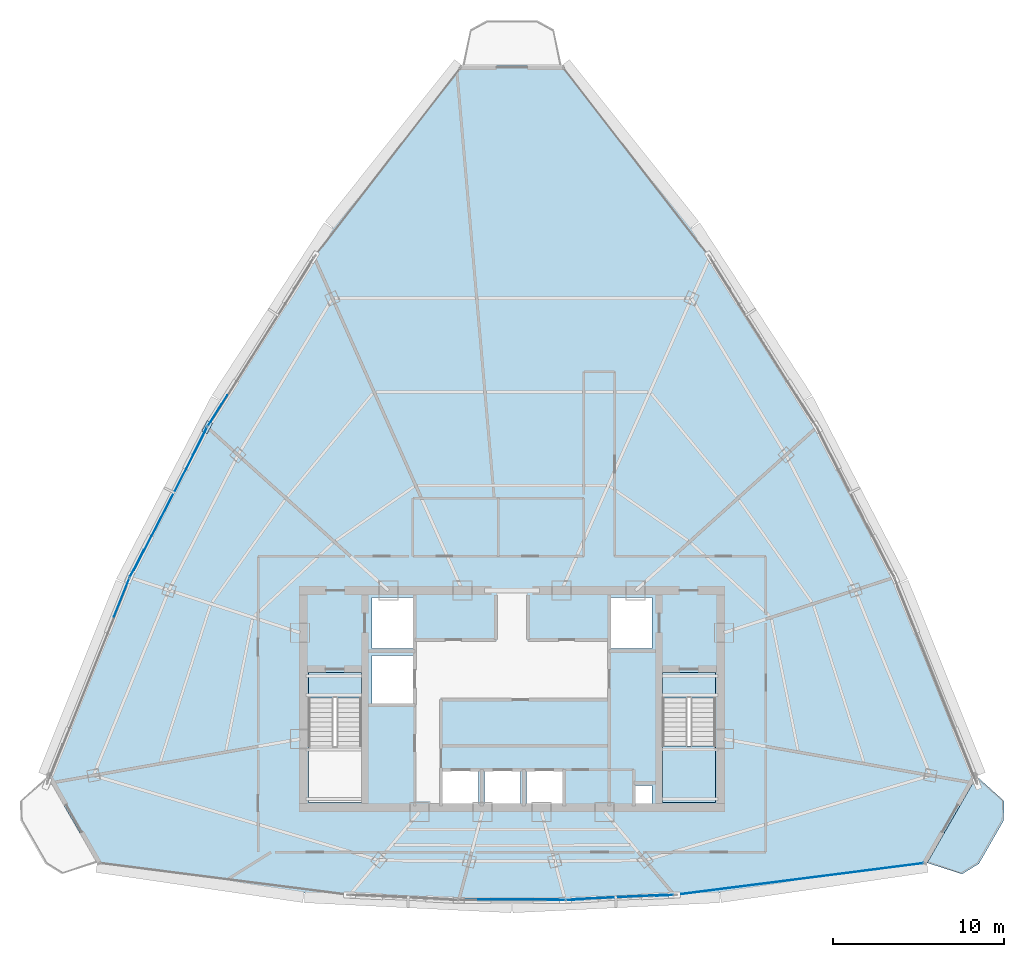
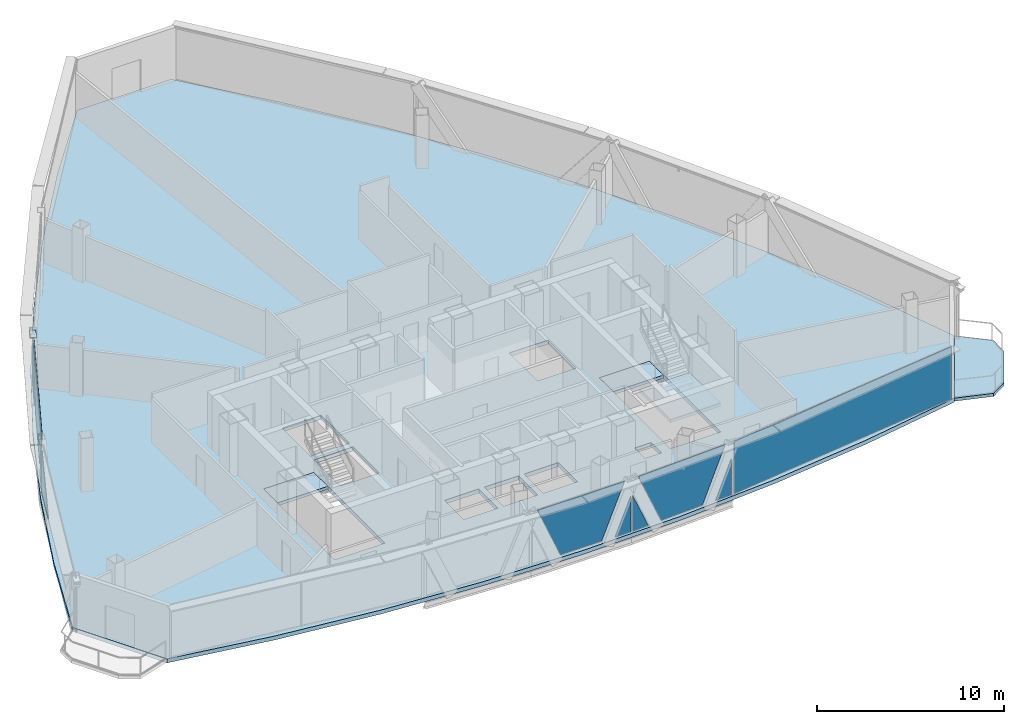
# One storey, part 23 of 30: 12 plates, 5 slabs, 8 elements without a shape of their own.
"""IFC4 building model written with IfcOpenShell, lengths in metres."""

from ifc_helpers import new_model, si_unit, direction, frame, origin, origin_2d, place, context, subcontext, project, spatial, polyline, rectangle, outline, extrude, source, transform, mapped, material, layer, layer_set, type_object, element, aggregate, save


model = new_model("IFC4")

# Units and contexts
model_context = context("Model", 3, precision=1e-05, world=origin(), true_north=direction((0.0, 1.0)))
body_context = subcontext(model_context, "Body", "Model", "MODEL_VIEW")
ifc_project = project(units=[si_unit("LENGTHUNIT", "METRE"), si_unit("AREAUNIT", "SQUARE_METRE"), si_unit("VOLUMEUNIT", "CUBIC_METRE"), si_unit("PLANEANGLEUNIT", "RADIAN"), si_unit("MASSUNIT", "GRAM", prefix="KILO"), si_unit("THERMODYNAMICTEMPERATUREUNIT", "KELVIN"), si_unit("POWERUNIT", "WATT")], contexts=[model_context])

# Site, building, storey
site_placement = place(None, origin())
site = spatial("IfcSite", under=ifc_project, at=site_placement, CompositionType="ELEMENT")
building_placement = place(site_placement, origin())
building = spatial("IfcBuilding", under=site, at=building_placement, Name="Yunzhuo Pagoda Commons", CompositionType="ELEMENT")
storey_placement = place(building_placement, frame((0.0, 0.0, 348.010009765625)))
storey = spatial("IfcBuildingStorey", under=building, at=storey_placement, Name="L87", CompositionType="ELEMENT", Elevation=348.010009765625)

# Curtain wall, plates
ifc_material_1 = material(Name="Anodized aluminium 6063-T6", Category="aluminium")
ifc_layer_1 = layer(ifc_material_1, 0.139892578125)
ifc_layer_set_1 = layer_set([ifc_layer_1], Name="Anodized aluminium 6063-T6")
curtain_wall_type = type_object("IfcCurtainWallType", Name="CW-HI High-Zone Ribbon Curtain Wall", PredefinedType="NOTDEFINED", material=ifc_layer_set_1)
curtain_wall_1_placement = place(storey_placement, origin())
curtain_wall_1 = element("IfcCurtainWall", 1, at=curtain_wall_1_placement, inside=storey, type_object=curtain_wall_type, Name="L87 curtain wall CW-L87-F1B3", PredefinedType="NOTDEFINED")
ifc_material_2 = material(Name="Tempered low-e double glazing", Category="glass")
ifc_layer_2 = layer(ifc_material_2, 0.02587890625)
ifc_layer_set_2 = layer_set([ifc_layer_2], Name="Tempered low-e double glazing")
plate_type_1 = type_object("IfcPlateType", Name="CW-HI-P Low-E Double Glazing 26", PredefinedType="CURTAIN_PANEL", material=ifc_layer_set_2)
plate_1_placement = place(storey_placement, frame((48.0, 22.1318359375, 1.744873046875), z_axis=(0.0, -1.0, 0.0), x_axis=(1.0, 0.0, 0.0)))
plate_1 = element("IfcPlate", 2, at=plate_1_placement, type_object=plate_type_1, Name="CW panel 1.1 lite 2", PredefinedType="CURTAIN_PANEL", context=body_context, shape_type="SweptSolid", body=[
    extrude(outline(polyline([(-2.67724609375, 1.68994140625), (-1.275146484375, -1.68994140625), (1.275146484375, -1.68994140625), (2.67724609375, 1.68994140625), (-2.67724609375, 1.68994140625)])), origin(), (0.0, 0.0, 1.0), 0.028076171875),
])
plate_2_placement = place(storey_placement, frame((50.57470703125, 22.1015625, 1.204345703125), z_axis=(0.0, -1.0, 0.0), x_axis=(1.0, 0.0, 0.0)))
plate_2 = element("IfcPlate", 3, at=plate_2_placement, type_object=plate_type_1, Name="CW panel 1.1 lite 3", PredefinedType="CURTAIN_PANEL", context=body_context, shape_type="SweptSolid", body=[
    extrude(outline(polyline([(-0.476806640625, -1.1494140625), (0.476806640625, -1.1494140625), (0.476806640625, 1.1494140625), (-0.476806640625, -1.1494140625)])), origin(), (0.0, 0.0, 1.0), 0.028076171875),
])
aggregate(curtain_wall_1, [plate_1, plate_2])

curtain_wall_2_placement = place(storey_placement, origin())
curtain_wall_2 = element("IfcCurtainWall", 4, at=curtain_wall_2_placement, inside=storey, type_object=curtain_wall_type, Name="L87 curtain wall CW-L87-F1B4", PredefinedType="NOTDEFINED")
plate_3_placement = place(storey_placement, frame((51.66455078125, 22.128173828125, 1.216796875), z_axis=(0.047859147719, -0.99885409444, 0.0), x_axis=(0.99885409444, 0.047859147719, 0.0)))
plate_3 = element("IfcPlate", 5, at=plate_3_placement, type_object=plate_type_1, Name="CW panel 1.1 lite 1", PredefinedType="CURTAIN_PANEL", context=body_context, shape_type="SweptSolid", body=[
    extrude(outline(polyline([(-0.494384765625, -1.161865234375), (0.494384765625, -1.161865234375), (-0.494384765625, 1.161865234375), (-0.494384765625, -1.161865234375)])), origin(), (0.0, 0.0, 1.0), 0.028076171875),
])
plate_4_placement = place(storey_placement, frame((54.29736328125, 22.284423828125, 1.744873046875), z_axis=(0.047859147719, -0.99885409444, 0.0), x_axis=(0.99885409444, 0.047859147719, 0.0)))
plate_4 = element("IfcPlate", 6, at=plate_4_placement, type_object=plate_type_1, Name="CW panel 1.1 lite 2", PredefinedType="CURTAIN_PANEL", context=body_context, shape_type="SweptSolid", body=[
    extrude(outline(polyline([(-2.75537109375, 1.68994140625), (-1.31689453125, -1.68994140625), (1.31689453125, -1.68994140625), (2.75537109375, 1.68994140625), (-2.75537109375, 1.68994140625)])), origin(), (0.0, 0.0, 1.0), 0.028076171875),
])
plate_5_placement = place(storey_placement, frame((56.93310546875, 22.380615234375, 1.216796875), z_axis=(0.047859147719, -0.99885409444, 0.0), x_axis=(0.99885409444, 0.047859147719, 0.0)))
plate_5 = element("IfcPlate", 7, at=plate_5_placement, type_object=plate_type_1, Name="CW panel 1.1 lite 3", PredefinedType="CURTAIN_PANEL", context=body_context, shape_type="SweptSolid", body=[
    extrude(outline(polyline([(-0.494384765625, -1.161865234375), (0.494384765625, -1.161865234375), (0.494384765625, 1.161865234375), (-0.494384765625, -1.161865234375)])), origin(), (0.0, 0.0, 1.0), 0.028076171875),
])
aggregate(curtain_wall_2, [plate_3, plate_4, plate_5])

# Curtain wall, plate
curtain_wall_3_placement = place(storey_placement, origin())
curtain_wall_3 = element("IfcCurtainWall", 8, at=curtain_wall_3_placement, inside=storey, type_object=curtain_wall_type, Name="L87 curtain wall CW-L87-F3B2", PredefinedType="NOTDEFINED")
plate_6_placement = place(storey_placement, frame((30.790771484375, 50.701171875, 1.426025390625), z_axis=(-0.846524621891, 0.532349569861, 0.0), x_axis=(-0.532349569861, -0.846524621891, 0.0)))
plate_6 = element("IfcPlate", 9, at=plate_6_placement, type_object=plate_type_1, Name="CW panel 1.1 lite 3", PredefinedType="CURTAIN_PANEL", context=body_context, shape_type="SweptSolid", body=[
    extrude(outline(polyline([(-1.073486328125, -1.37109375), (1.073486328125, -1.37109375), (1.073486328125, 1.37109375), (-1.073486328125, -1.37109375)])), origin(), (0.0, 0.0, 1.0), 0.028076171875),
])
aggregate(curtain_wall_3, [plate_6])

# Curtain wall, plates
curtain_wall_4_placement = place(storey_placement, origin())
curtain_wall_4 = element("IfcCurtainWall", 10, at=curtain_wall_4_placement, inside=storey, type_object=curtain_wall_type, Name="L87 curtain wall CW-L87-F3B3", PredefinedType="NOTDEFINED")
plate_7_placement = place(storey_placement, frame((29.759765625, 48.91259765625, 1.381591796875), z_axis=(-0.888845723113, 0.458206591511, 0.0), x_axis=(-0.458206591511, -0.888845723113, 0.0)))
plate_7 = element("IfcPlate", 11, at=plate_7_placement, type_object=plate_type_1, Name="CW panel 1.1 lite 1", PredefinedType="CURTAIN_PANEL", context=body_context, shape_type="SweptSolid", body=[
    extrude(outline(polyline([(-0.874267578125, -1.32666015625), (0.874267578125, -1.32666015625), (-0.874267578125, 1.32666015625), (-0.874267578125, -1.32666015625)])), origin(), (0.0, 0.0, 1.0), 0.028076171875),
])
plate_8_placement = place(storey_placement, frame((27.949951171875, 45.336181640625, 1.744873046875), z_axis=(-0.888845723113, 0.458206591511, 0.0), x_axis=(-0.458206591511, -0.888845723113, 0.0)))
plate_8 = element("IfcPlate", 12, at=plate_8_placement, type_object=plate_type_1, Name="CW panel 1.1 lite 2", PredefinedType="CURTAIN_PANEL", context=body_context, shape_type="SweptSolid", body=[
    extrude(outline(polyline([(-4.451171875, 1.68994140625), (-2.2236328125, -1.68994140625), (2.2236328125, -1.68994140625), (4.451171875, 1.68994140625), (-4.451171875, 1.68994140625)])), origin(), (0.0, 0.0, 1.0), 0.028076171875),
])
plate_9_placement = place(storey_placement, frame((26.086669921875, 41.787353515625, 1.381591796875), z_axis=(-0.888845723113, 0.458206591511, 0.0), x_axis=(-0.458206591511, -0.888845723113, 0.0)))
plate_9 = element("IfcPlate", 13, at=plate_9_placement, type_object=plate_type_1, Name="CW panel 1.1 lite 3", PredefinedType="CURTAIN_PANEL", context=body_context, shape_type="SweptSolid", body=[
    extrude(outline(polyline([(-0.874267578125, -1.32666015625), (0.874267578125, -1.32666015625), (0.874267578125, 1.32666015625), (-0.874267578125, -1.32666015625)])), origin(), (0.0, 0.0, 1.0), 0.028076171875),
])
aggregate(curtain_wall_4, [plate_7, plate_8, plate_9])

# Curtain wall, plate
curtain_wall_5_placement = place(storey_placement, origin())
curtain_wall_5 = element("IfcCurtainWall", 14, at=curtain_wall_5_placement, inside=storey, type_object=curtain_wall_type, Name="L87 curtain wall CW-L87-F3B4", PredefinedType="NOTDEFINED")
plate_10_placement = place(storey_placement, frame((25.1875, 39.782958984375, 1.44775390625), z_axis=(-0.92803921175, 0.372482511608, 0.0), x_axis=(-0.372482511608, -0.92803921175, 0.0)))
plate_10 = element("IfcPlate", 15, at=plate_10_placement, type_object=plate_type_1, Name="CW panel 1.1 lite 1", PredefinedType="CURTAIN_PANEL", context=body_context, shape_type="SweptSolid", body=[
    extrude(outline(polyline([(-1.206298828125, -1.392578125), (1.206298828125, -1.392578125), (-1.206298828125, 1.392578125), (-1.206298828125, -1.392578125)])), origin(), (0.0, 0.0, 1.0), 0.028076171875),
])
aggregate(curtain_wall_5, [plate_10])

# Slab
ifc_material_3 = material(Name="Concrete C40", Category="concrete")
ifc_layer_3 = layer(ifc_material_3, 0.199951171875)
ifc_layer_set_3 = layer_set([ifc_layer_3], Name="Concrete C40")
slab_type_1 = type_object("IfcSlabType", Name="SL-BAL Vertex Balcony Deck Slab 200", PredefinedType="FLOOR", material=ifc_layer_set_3)
slab_1_placement = place(storey_placement, frame((0.0, 0.0, -0.199951171875)))
element("IfcSlab", 16, at=slab_1_placement, inside=storey, type_object=slab_type_1, Name="L87 corner balcony V2", PredefinedType="FLOOR", context=body_context, shape_type="SweptSolid", body=[
    extrude(outline(polyline([(72.277587890625, 24.274658203125), (75.1767578125, 29.323974609375), (76.76953125, 27.890625), (76.74560546875, 26.74462890625), (75.296142578125, 24.219970703125), (74.318359375, 23.62158203125), (72.277587890625, 24.274658203125)])), origin(), (0.0, 0.0, 1.0), 0.199951171875),
])

# Stair, slab
stair_type_1 = type_object("IfcStairType", Name="ST-C1 Core Smokeproof Stair ST1", PredefinedType="HALF_TURN_STAIR", material=ifc_material_3)
stair_1_placement = place(storey_placement, origin())
stair_1 = element("IfcStair", 17, at=stair_1_placement, inside=storey, type_object=stair_type_1, Name="L87 Core smokeproof stair ST1", PredefinedType="HALF_TURN_STAIR")
ifc_layer_4 = layer(ifc_material_3, 0.199951171875)
ifc_layer_set_4 = layer_set([ifc_layer_4], Name="Concrete C40")
slab_type_2 = type_object("IfcSlabType", Name="SL-LND1 Stair Landing Slab 200", PredefinedType="LANDING", material=ifc_layer_set_4)
slab_2_placement = place(storey_placement, frame((0.0, 0.0, -0.199951171875)))
slab_2 = element("IfcSlab", 18, at=slab_2_placement, type_object=slab_type_2, Name="ST1 floor landing L87", PredefinedType="LANDING", context=body_context, shape_type="SweptSolid", body=[
    extrude(outline(polyline([(36.10009765625, 35.39990234375), (36.10009765625, 33.89990234375), (39.199951171875, 33.89990234375), (39.199951171875, 35.39990234375), (36.10009765625, 35.39990234375)])), origin(), (0.0, 0.0, 1.0), 0.199951171875),
])
aggregate(stair_1, [slab_2])

# Stair, slabs
stair_type_2 = type_object("IfcStairType", Name="ST-C2 Core Smokeproof Stair ST2", PredefinedType="HALF_TURN_STAIR", material=ifc_material_3)
stair_2_placement = place(storey_placement, origin())
stair_2 = element("IfcStair", 19, at=stair_2_placement, inside=storey, type_object=stair_type_2, Name="L87 Core smokeproof stair ST2", PredefinedType="HALF_TURN_STAIR")
ifc_layer_5 = layer(ifc_material_3, 0.201904296875)
ifc_layer_set_5 = layer_set([ifc_layer_5], Name="Concrete C40")
slab_type_3 = type_object("IfcSlabType", Name="SL-LND2 Stair Landing Slab 202", PredefinedType="LANDING", material=ifc_layer_set_5)
slab_3_placement = place(storey_placement, frame((0.0, 0.0, 1.675048828125)))
slab_3 = element("IfcSlab", 20, at=slab_3_placement, type_object=slab_type_3, Name="ST2 landing 1", PredefinedType="LANDING", context=body_context, shape_type="SweptSolid", body=[
    extrude(outline(polyline([(56.800048828125, 31.10009765625), (56.800048828125, 27.800048828125), (59.89990234375, 27.800048828125), (59.89990234375, 31.10009765625), (56.800048828125, 31.10009765625)])), origin(), (0.0, 0.0, 1.0), 0.199951171875),
])
slab_4_placement = place(storey_placement, frame((0.0, 0.0, -0.199951171875)))
slab_4 = element("IfcSlab", 21, at=slab_4_placement, type_object=slab_type_3, Name="ST2 floor landing L87", PredefinedType="LANDING", context=body_context, shape_type="SweptSolid", body=[
    extrude(outline(polyline([(56.800048828125, 35.39990234375), (56.800048828125, 33.89990234375), (59.89990234375, 33.89990234375), (59.89990234375, 35.39990234375), (56.800048828125, 35.39990234375)])), origin(), (0.0, 0.0, 1.0), 0.199951171875),
])
aggregate(stair_2, [slab_3, slab_4])

# Slab
ifc_layer_6 = layer(ifc_material_3, 0.260009765625)
ifc_layer_set_6 = layer_set([ifc_layer_6], Name="Concrete C40")
slab_type_4 = type_object("IfcSlabType", Name="SL-TWR Typical Tower Floor Slab 260", PredefinedType="FLOOR", material=ifc_layer_set_6)
slab_5_placement = place(storey_placement, frame((0.0, 0.0, -0.260009765625)))
element("IfcSlab", 22, at=slab_5_placement, inside=storey, type_object=slab_type_4, Name="L87 structural floor slab", PredefinedType="FLOOR", context=body_context, shape_type="SweptSolid", body=[
    extrude(outline(polyline([(22.96923828125, 35.04541015625), (25.36572265625, 40.615234375), (28.017333984375, 46.036376953125), (30.924072265625, 51.30859375), (34.085693359375, 56.43212890625), (37.50244140625, 61.406494140625), (41.174072265625, 66.232177734375), (45.100830078125, 70.908935546875), (50.899169921875, 70.908935546875), (54.825927734375, 66.232177734375), (58.49755859375, 61.406494140625), (61.914306640625, 56.43212890625), (65.075927734375, 51.30859375), (67.982666015625, 46.036376953125), (70.63427734375, 40.615234375), (73.03076171875, 35.04541015625), (75.17236328125, 29.326416015625), (72.273193359375, 24.277099609375), (66.204833984375, 23.24365234375), (60.13671875, 22.50537109375), (54.068359375, 22.0625), (48.0, 21.914794921875), (41.931640625, 22.0625), (35.86328125, 22.50537109375), (29.795166015625, 23.24365234375), (23.726806640625, 24.277099609375), (20.82763671875, 29.326416015625), (22.96923828125, 35.04541015625)]), holes=[polyline([(56.179931640625, 28.800048828125), (55.179931640625, 28.800048828125), (55.179931640625, 27.699951171875), (56.179931640625, 27.699951171875), (56.179931640625, 28.800048828125)]), polyline([(46.050048828125, 29.64990234375), (43.949951171875, 29.64990234375), (43.949951171875, 27.60009765625), (46.050048828125, 27.60009765625), (46.050048828125, 29.64990234375)]), polyline([(48.5, 29.64990234375), (46.39990234375, 29.64990234375), (46.39990234375, 27.60009765625), (48.5, 27.60009765625), (48.5, 29.64990234375)]), polyline([(50.949951171875, 29.64990234375), (48.85009765625, 29.64990234375), (48.85009765625, 27.60009765625), (50.949951171875, 27.60009765625), (50.949951171875, 29.64990234375)]), polyline([(39.199951171875, 27.800048828125), (39.199951171875, 35.39990234375), (36.10009765625, 35.39990234375), (36.10009765625, 27.800048828125), (39.199951171875, 27.800048828125)]), polyline([(59.89990234375, 27.800048828125), (59.89990234375, 35.39990234375), (56.800048828125, 35.39990234375), (56.800048828125, 27.800048828125), (59.89990234375, 27.800048828125)]), polyline([(42.199951171875, 36.39990234375), (39.800048828125, 36.39990234375), (39.800048828125, 33.60009765625), (42.199951171875, 33.60009765625), (42.199951171875, 36.39990234375)]), polyline([(42.199951171875, 36.800048828125), (42.199951171875, 39.800048828125), (39.800048828125, 39.800048828125), (39.800048828125, 36.800048828125), (42.199951171875, 36.800048828125)]), polyline([(56.199951171875, 36.800048828125), (56.199951171875, 39.800048828125), (53.800048828125, 39.800048828125), (53.800048828125, 36.800048828125), (56.199951171875, 36.800048828125)])]), origin(), (0.0, 0.0, 1.0), 0.260009765625),
])

# Plate
ifc_material_4 = material(Name="Structural steel Q355B", Category="steel")
ifc_layer_7 = layer(ifc_material_4, 0.028076171875)
ifc_layer_set_7 = layer_set([ifc_layer_7], Name="Structural steel Q355B")
plate_type_2 = type_object("IfcPlateType", Name="SP-ND1 Lattice Node Cap Plate 800x500x28", PredefinedType="USERDEFINED", material=ifc_layer_set_7)
shared_shape_1 = source(origin(), body_context, "Body", "SweptSolid", [
    extrude(rectangle(XDim=0.699951171875, YDim=0.35009765625, at=origin_2d()), origin(), (0.0, 0.0, 1.0), 0.035888671875),
])
plate_11_placement = place(storey_placement, frame((30.175537109375, 49.749267578125, 3.4521484375), z_axis=(0.0, 0.0, 1.0), x_axis=(-0.458199726156, -0.888849262221, 0.0)))
element("IfcPlate", 23, at=plate_11_placement, inside=storey, type_object=plate_type_2, Name="L87 setback lattice tie plate F3.2L", ObjectType="STIFFENER_PLATE", PredefinedType="USERDEFINED", context=body_context, shape_type="MappedRepresentation", body=[
    mapped(shared_shape_1, transform((0.0, 0.0, 0.0), scale=1.0)),
])

# Curtain wall, plate
curtain_wall_6_placement = place(storey_placement, origin())
curtain_wall_6 = element("IfcCurtainWall", 24, at=curtain_wall_6_placement, inside=storey, type_object=curtain_wall_type, Name="L87 curtain wall CW-L87-F1B5", PredefinedType="NOTDEFINED")
shared_shape_2 = source(origin(), body_context, "Body", "SweptSolid", [
    extrude(rectangle(XDim=14.54931640625, YDim=0.028076171875, at=origin_2d()), origin(), (0.0, 0.0, 1.0), 3.3798828125),
])
plate_12_placement = place(storey_placement, frame((64.837646484375, 23.3310546875, 0.054931640625), z_axis=(0.0, 0.0, 1.0), x_axis=(0.991957593696, 0.126570661327, 0.0)))
plate_12 = element("IfcPlate", 25, at=plate_12_placement, type_object=plate_type_1, Name="CW panel 1.1", PredefinedType="CURTAIN_PANEL", context=body_context, shape_type="MappedRepresentation", body=[
    mapped(shared_shape_2, transform((0.0, 0.0, 0.0), scale=1.0)),
])
aggregate(curtain_wall_6, [plate_12])

save(model, "model.ifc")
